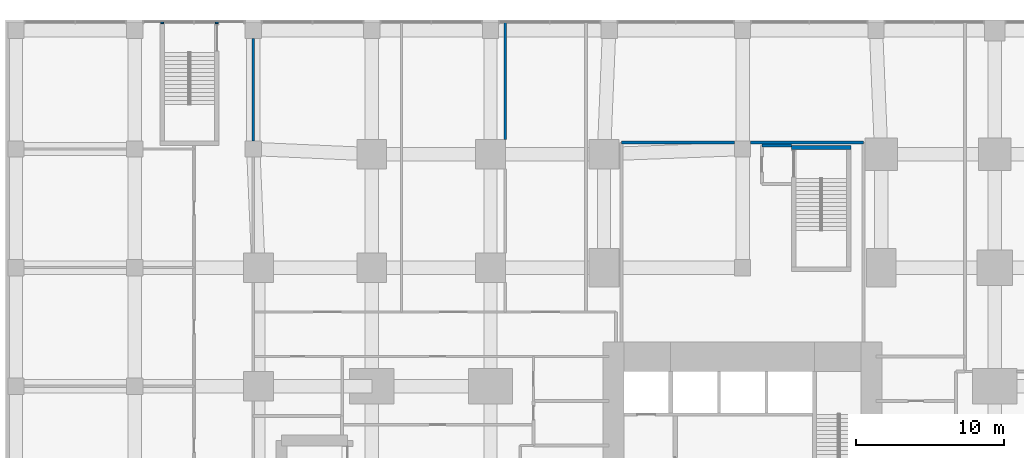
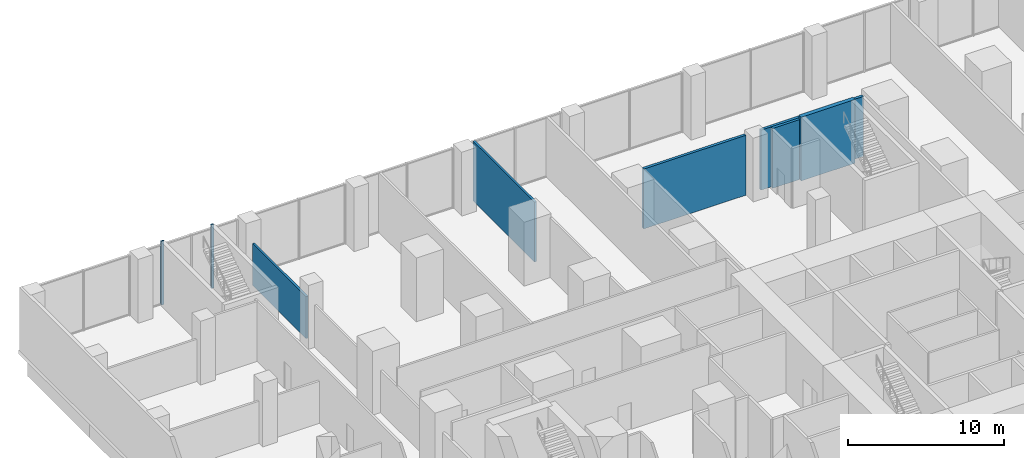
# One storey, part 18 of 22: 8 walls.
"""IFC4 building model written with IfcOpenShell, lengths in metres."""

from ifc_helpers import new_model, si_unit, direction, frame, frame_2d, origin, place, context, subcontext, project, spatial, rectangle, extrude, material, layer, layer_set, type_object, element, save


model = new_model("IFC4")

# Units and contexts
model_context = context("Model", 3, precision=1e-05, world=origin(), true_north=direction((0.0, 1.0)))
body_context = subcontext(model_context, "Body", "Model", "MODEL_VIEW")
ifc_project = project(units=[si_unit("LENGTHUNIT", "METRE"), si_unit("AREAUNIT", "SQUARE_METRE"), si_unit("VOLUMEUNIT", "CUBIC_METRE"), si_unit("PLANEANGLEUNIT", "RADIAN"), si_unit("MASSUNIT", "GRAM", prefix="KILO")], contexts=[model_context])

# Site, building, storey
site_placement = place(None, origin())
site = spatial("IfcSite", under=ifc_project, at=site_placement, CompositionType="ELEMENT")
building_placement = place(site_placement, origin())
building = spatial("IfcBuilding", under=site, at=building_placement, Name="Cleftline Residences", CompositionType="ELEMENT")
storey_placement = place(building_placement, frame((0.0, 0.0, 6.0)))
storey = spatial("IfcBuildingStorey", under=building, at=storey_placement, Name="L01", CompositionType="ELEMENT", Elevation=6.0)

# Walls
ifc_material_1 = material(Name="Concrete blockwork, fire rated", Category="masonry")
ifc_layer_1 = layer(ifc_material_1, 0.199951171875)
ifc_layer_set_1 = layer_set([ifc_layer_1], Name="FIRE WALL 200")
wall_type_1 = type_object("IfcWallType", Name="FIRE WALL 200", PredefinedType="PARTITIONING", material=ifc_layer_set_1)
wall_1_placement = place(storey_placement, frame((34.300048828125, 48.25, 0.0), z_axis=(0.0, 0.0, 1.0), x_axis=(1.0, 0.0, 0.0)))
element("IfcWall", 1, at=wall_1_placement, inside=storey, type_object=wall_type_1, Name="Fire separating wall", PredefinedType="PARTITIONING", context=body_context, shape_type="SweptSolid", body=[
    extrude(rectangle(XDim=2.0, YDim=0.199951171875, at=frame_2d((1.0, 0.0))), origin(), (0.0, 0.0, 1.0), 4.699951171875),
])
for number, where, z_axis, x_axis, name in (
    (2, (24.85009765625, 48.449951171875, 0.0), (0.0, 0.0, 1.0), (1.0, 0.0, 0.0), "Fire separating wall"),
    (3, (33.550048828125, 48.449951171875, 0.0), (0.0, 0.0, 1.0), (1.0, 0.0, 0.0), "Fire separating wall"),
):
    element("IfcWall", number, at=place(storey_placement, frame(where, z_axis=z_axis, x_axis=x_axis)), inside=storey, type_object=wall_type_1, Name=name, PredefinedType="PARTITIONING", context=body_context, shape_type="SweptSolid", body=[
        extrude(rectangle(XDim=7.599853515625, YDim=0.199951171875, at=frame_2d((3.7998046875, 0.0))), origin(), (0.0, 0.0, 1.0), 4.699951171875),
    ])
for number, where, z_axis, x_axis, name in (
    (4, (-6.14990234375, 56.449951171875, 0.0), (0.0, 0.0, 1.0), (0.0, 1.0, 0.0), "Fire separating wall"),
    (5, (-2.449951171875, 56.449951171875, 0.0), (0.0, 0.0, 1.0), (0.0, 1.0, 0.0), "Fire separating wall"),
):
    element("IfcWall", number, at=place(storey_placement, frame(where, z_axis=z_axis, x_axis=x_axis)), inside=storey, type_object=wall_type_1, Name=name, PredefinedType="PARTITIONING", context=body_context, shape_type="SweptSolid", body=[
        extrude(rectangle(XDim=0.111083984375, YDim=0.199951171875, at=frame_2d((0.0556640625, 0.0))), origin(), (0.0, 0.0, 1.0), 5.0),
    ])
ifc_material_2 = material(Name="Gypsum board on steel studs", Category="steel")
ifc_layer_2 = layer(ifc_material_2, 0.14990234375)
ifc_layer_set_2 = layer_set([ifc_layer_2], Name="PARTITION 150")
wall_type_2 = type_object("IfcWallType", Name="PARTITION 150", PredefinedType="PARTITIONING", material=ifc_layer_set_2)
wall_2_placement = place(storey_placement, frame((0.0, 48.550048828125, 0.0), z_axis=(0.0, 0.0, 1.0), x_axis=(0.0, 1.0, 0.0)))
element("IfcWall", 6, at=wall_2_placement, inside=storey, type_object=wall_type_2, Name="Partition", PredefinedType="PARTITIONING", context=body_context, shape_type="SweptSolid", body=[
    extrude(rectangle(XDim=6.89990234375, YDim=0.14990234375, at=frame_2d((3.449951171875, 0.0))), origin(), (0.0, 0.0, 1.0), 3.300048828125),
])
wall_3_placement = place(storey_placement, frame((17.0, 48.64990234375, 0.0), z_axis=(0.0, 0.0, 1.0), x_axis=(0.0, 1.0, 0.0)))
element("IfcWall", 7, at=wall_3_placement, inside=storey, type_object=wall_type_2, Name="Partition", PredefinedType="PARTITIONING", context=body_context, shape_type="SweptSolid", body=[
    extrude(rectangle(XDim=7.9111328125, YDim=0.14990234375, at=frame_2d((3.95556640625, 0.0))), origin(), (0.0, 0.0, 1.0), 4.699951171875),
])
ifc_material_3 = material(Name="Concrete blockwork, fire rated", Category="masonry")
ifc_layer_3 = layer(ifc_material_3, 0.300048828125)
ifc_layer_set_3 = layer_set([ifc_layer_3], Name="STAIR ENCLOSURE WALL 300")
wall_type_3 = type_object("IfcWallType", Name="STAIR ENCLOSURE WALL 300", PredefinedType="PARTITIONING", material=ifc_layer_set_3)
wall_4_placement = place(storey_placement, frame((36.300048828125, 48.10009765625, 0.0), z_axis=(0.0, 0.0, 1.0), x_axis=(1.0, 0.0, 0.0)))
element("IfcWall", 8, at=wall_4_placement, inside=storey, type_object=wall_type_3, Name="Stair D enclosure", PredefinedType="PARTITIONING", context=body_context, shape_type="SweptSolid", body=[
    extrude(rectangle(XDim=4.0, YDim=0.300048828125, at=frame_2d((2.0, 0.0))), origin(), (0.0, 0.0, 1.0), 5.0),
])

save(model, "model.ifc")
